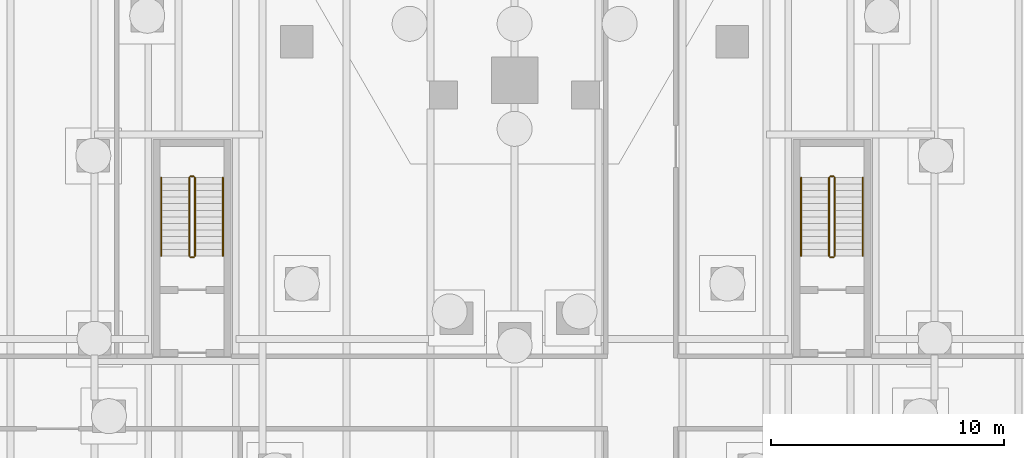
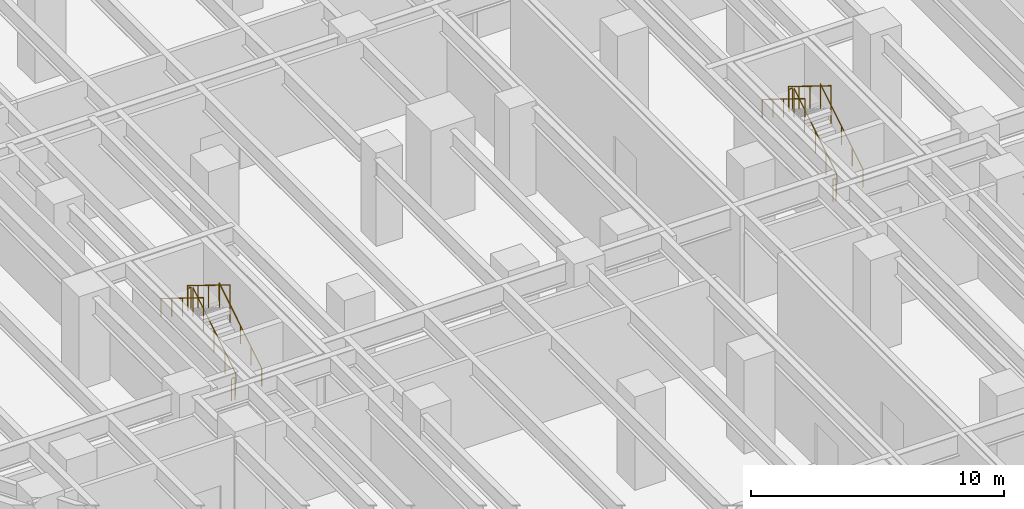
# One storey, part 16 of 18: 12 railings.
"""IFC4 building model written with IfcOpenShell, lengths in metres."""

import ifcopenshell
import ifcopenshell.guid

model = None  # the IFC model being written
_history = None  # IfcOwnerHistory: only IFC2X3 demands one
_inside = {}  # id of a spatial element -> (the spatial element, [elements in it])
_under = {}  # id of a project, library or spatial element -> (it, [spatial elements below it])
_declared = {}  # id of a project -> (the project, [libraries it declares])
_typed = {}  # id of a type object -> (the type object, [elements of that type])
_made_of = {}  # id of a material, layer set ... -> (it, [elements and type objects made of it])


def new_model(schema):
    """Start an empty IFC model of exactly this schema.

    Asked for "IFC4X3", IfcOpenShell would pick the latest addendum, in which some entities
    have other attributes; the version numbers below select the first issue.
    IFC2X3 requires an IfcOwnerHistory on every rooted entity: one is made here for all.
    """
    global model, _history
    if schema == "IFC4X3":
        model = ifcopenshell.file(schema_version=(4, 3, 0, 0))
    else:
        model = ifcopenshell.file(schema=schema)
    _inside.clear()
    _under.clear()
    _declared.clear()
    _typed.clear()
    _made_of.clear()
    _history = None
    if model.schema == "IFC2X3":
        org = make("IfcOrganization", Name="unknown")
        user = make(
            "IfcPersonAndOrganization",
            ThePerson=make("IfcPerson", FamilyName="unknown"),
            TheOrganization=org,
        )
        app = make(
            "IfcApplication",
            ApplicationDeveloper=org,
            Version="unknown",
            ApplicationFullName="unknown",
            ApplicationIdentifier="unknown",
        )
        _history = make(
            "IfcOwnerHistory",
            OwningUser=user,
            OwningApplication=app,
            ChangeAction="ADDED",
            CreationDate=0,
        )
    return model


def make(cls, **values):
    """One entity of the class cls with the attributes given. An attribute that is None is left unset."""
    return model.create_entity(
        cls, **{name: value for name, value in values.items() if value is not None}
    )


def rooted(cls, **values):
    """An entity with a GlobalId (a new one), such as an element, a storey or a relation."""
    return make(cls, GlobalId=ifcopenshell.guid.new(), OwnerHistory=_history, **values)


def si_unit(unit_type, name, prefix=None):
    """IfcSIUnit, for example si_unit("LENGTHUNIT", "METRE", prefix="MILLI")."""
    return make("IfcSIUnit", UnitType=unit_type, Prefix=prefix, Name=name)


def assignment(units):
    """IfcUnitAssignment: the units of a project."""
    return None if units is None else make("IfcUnitAssignment", Units=units)


def point(xyz):
    """IfcCartesianPoint."""
    return None if xyz is None else make("IfcCartesianPoint", Coordinates=xyz)


def direction(xyz):
    """IfcDirection."""
    return None if xyz is None else make("IfcDirection", DirectionRatios=xyz)


def frame(location, z_axis=None, x_axis=None):
    """IfcAxis2Placement3D, a coordinate frame: its origin and axes. An axis left out is left unset."""
    return make(
        "IfcAxis2Placement3D",
        Location=point(location),
        Axis=direction(z_axis),
        RefDirection=direction(x_axis),
    )


def frame_2d(location, x_axis=None):
    """IfcAxis2Placement2D, a coordinate frame in the plane: its origin and x axis."""
    return make(
        "IfcAxis2Placement2D", Location=point(location), RefDirection=direction(x_axis)
    )


def origin():
    """The frame at (0, 0, 0) with its axes left unset."""
    return frame((0.0, 0.0, 0.0))


def origin_2d():
    """The frame at (0, 0) in the plane with its x axis left unset."""
    return frame_2d((0.0, 0.0))


def place(relative_to, where):
    """IfcLocalPlacement: puts the frame where relative to a parent placement (None: the world)."""
    return make(
        "IfcLocalPlacement", PlacementRelTo=relative_to, RelativePlacement=where
    )


def context(
    kind, dimensions, precision=None, world=None, true_north=None, identifier=None
):
    """IfcGeometricRepresentationContext, for example the 3D "Model" context."""
    return make(
        "IfcGeometricRepresentationContext",
        ContextIdentifier=identifier,
        ContextType=kind,
        CoordinateSpaceDimension=dimensions,
        Precision=precision,
        WorldCoordinateSystem=world,
        TrueNorth=true_north,
    )


def subcontext(parent, identifier, kind, view, scale=None):
    """IfcGeometricRepresentationSubContext, for example "Body" below "Model"."""
    return make(
        "IfcGeometricRepresentationSubContext",
        ContextIdentifier=identifier,
        ContextType=kind,
        ParentContext=parent,
        TargetScale=scale,
        TargetView=view,
    )


def project(units=None, contexts=None):
    """IfcProject with its units and contexts."""
    return rooted(
        "IfcProject",
        Name="project",
        RepresentationContexts=contexts,
        UnitsInContext=assignment(units),
    )


def spatial(cls, under=None, at=None, **own):
    """A site, building, storey or space (cls), placed at a placement, below another one or the project."""
    s = rooted(cls, ObjectPlacement=at, **own)
    if under is not None:
        _under.setdefault(under.id(), (under, []))[1].append(s)
    return s


def profile(cls, at=None, kind="AREA", **sizes):
    """A parametric profile (cls). Its sizes go by their IFC names, for example OverallWidth=200.0."""
    return make(cls, ProfileType=kind, Position=at, **sizes)


def circle(**sizes):
    """IfcCircleProfileDef."""
    return profile("IfcCircleProfileDef", **sizes)


def extrude(swept, where, along, depth):
    """IfcExtrudedAreaSolid: the profile swept, set in the frame where, extruded along a direction by depth."""
    return make(
        "IfcExtrudedAreaSolid",
        SweptArea=swept,
        Position=where,
        ExtrudedDirection=direction(along),
        Depth=depth,
    )


def shape(context_of_items, identifier, shape_type, items):
    """IfcShapeRepresentation: the items that make up one representation, for example the "Body"."""
    return make(
        "IfcShapeRepresentation",
        ContextOfItems=context_of_items,
        RepresentationIdentifier=identifier,
        RepresentationType=shape_type,
        Items=items,
    )


def material(Name=None, Category=None):
    """IfcMaterial."""
    return make("IfcMaterial", Name=Name, Category=Category)


def made_of(thing, what):
    """Note that an element or type object is made of a material, layer set ...; save() writes the relation."""
    if what is not None:
        _made_of.setdefault(what.id(), (what, []))[1].append(thing)
    return thing


def type_object(cls, material=None, **own):
    """A type object (cls), such as IfcWallType, which elements share."""
    return made_of(rooted(cls, **own), material)


def element(
    cls,
    number,
    at=None,
    inside=None,
    cuts=None,
    type_object=None,
    material=None,
    context=None,
    identifier="Body",
    shape_type=None,
    held_by="IfcProductDefinitionShape",
    body=None,
    shapes=None,
    **own,
):
    """One element of the class cls, such as IfcWall. Its Tag is "e" and its number.

    at: its placement. inside: the storey or other place that contains it. cuts: it is an
    opening in that element (IfcRelVoidsElement). A single representation is given by context,
    identifier, shape_type and body (its items); several are given by shapes. held_by: the class
    of the entity that holds the representations. save() writes the other relations.
    """
    e = rooted(cls, Tag="e%d" % number, ObjectPlacement=at, **own)
    if body is not None:
        shapes = [shape(context, identifier, shape_type, body)]
    if shapes is not None:
        e.Representation = make(held_by, Representations=shapes)
    if inside is not None:
        _inside.setdefault(inside.id(), (inside, []))[1].append(e)
    if cuts is not None:
        rooted(
            "IfcRelVoidsElement", RelatingBuildingElement=cuts, RelatedOpeningElement=e
        )
    if type_object is not None:
        _typed.setdefault(type_object.id(), (type_object, []))[1].append(e)
    return made_of(e, material)


def aggregate(whole, parts):
    """IfcRelAggregates: a whole, such as a stair, and the parts it consists of."""
    return rooted("IfcRelAggregates", RelatingObject=whole, RelatedObjects=parts)


def save(model, path):
    """Write the relations noted so far, then the file.

    IfcRelAggregates (storeys below a building ...), IfcRelContainedInSpatialStructure (elements
    in a storey), IfcRelDefinesByType, IfcRelAssociatesMaterial and IfcRelDeclares: one each for
    every whole, place, type object, material and project.
    """
    for whole, parts in _under.values():
        aggregate(whole, parts)
    for where, things in _inside.values():
        rooted(
            "IfcRelContainedInSpatialStructure",
            RelatedElements=things,
            RelatingStructure=where,
        )
    for kind, things in _typed.values():
        rooted("IfcRelDefinesByType", RelatedObjects=things, RelatingType=kind)
    for what, things in _made_of.values():
        rooted("IfcRelAssociatesMaterial", RelatedObjects=things, RelatingMaterial=what)
    for by, libraries in _declared.values():
        rooted("IfcRelDeclares", RelatingContext=by, RelatedDefinitions=libraries)
    model.write(path)


model = new_model("IFC4")

# Units and contexts
model_context = context("Model", 3, precision=1e-05, world=origin(), true_north=direction((0.0, 1.0)))
body_context = subcontext(model_context, "Body", "Model", "MODEL_VIEW")
ifc_project = project(units=[si_unit("LENGTHUNIT", "METRE"), si_unit("AREAUNIT", "SQUARE_METRE"), si_unit("VOLUMEUNIT", "CUBIC_METRE"), si_unit("PLANEANGLEUNIT", "RADIAN"), si_unit("MASSUNIT", "GRAM", prefix="KILO")], contexts=[model_context])

# Site, building, storey
site_placement = place(None, origin())
site = spatial("IfcSite", under=ifc_project, at=site_placement, CompositionType="ELEMENT")
building_placement = place(site_placement, origin())
building = spatial("IfcBuilding", under=site, at=building_placement, Name="Aloe Facet Convention Tower", CompositionType="ELEMENT")
storey_placement = place(building_placement, frame((0.0, 0.0, -9.0)))
storey = spatial("IfcBuildingStorey", under=building, at=storey_placement, Name="B2", CompositionType="ELEMENT", Elevation=-9.0)

# Railings
ifc_material_1 = material(Name="Steel S355 balustrade", Category="steel")
railing_type_1 = type_object("IfcRailingType", Name="CR-RL-GUARD", PredefinedType="GUARDRAIL", material=ifc_material_1)
railing_1_placement = place(storey_placement, frame((93.72509765625, 84.550048828125, 0.173095703125)))
element("IfcRailing", 1, at=railing_1_placement, inside=storey, type_object=railing_type_1, Name="B2 ST6 stair guard 1", PredefinedType="GUARDRAIL", context=body_context, shape_type="SweptSolid", body=[
    extrude(circle(Radius=0.02392578125, at=origin_2d()), frame((0.0, 0.0, 1.076171875), z_axis=(0.0, 0.850606129759, 0.525803396734), x_axis=(-1.0, 0.0, 0.0)), (0.0, 0.0, 1.0), 3.949951171875),
    extrude(circle(Radius=0.02099609375, at=origin_2d()), origin(), (0.0, 0.0, 1.0), 1.052001953125),
    extrude(circle(Radius=0.02099609375, at=origin_2d()), frame((0.0, 0.83984375, 0.519287109375)), (0.0, 0.0, 1.0), 1.052001953125),
    extrude(circle(Radius=0.02099609375, at=origin_2d()), frame((0.0, 1.679931640625, 1.03857421875)), (0.0, 0.0, 1.0), 1.052001953125),
    extrude(circle(Radius=0.02099609375, at=origin_2d()), frame((0.0, 2.52001953125, 1.5576171875)), (0.0, 0.0, 1.0), 1.052001953125),
    extrude(circle(Radius=0.02099609375, at=origin_2d()), frame((0.0, 3.35986328125, 2.076904296875)), (0.0, 0.0, 1.0), 1.052001953125),
])
railing_2_placement = place(storey_placement, frame((93.675048828125, 87.9599609375, 2.25)))
element("IfcRailing", 2, at=railing_2_placement, inside=storey, type_object=railing_type_1, Name="B2 ST6 stair guard 2", PredefinedType="GUARDRAIL", context=body_context, shape_type="SweptSolid", body=[
    extrude(circle(Radius=0.02392578125, at=origin_2d()), frame((0.0, 0.0, 1.076171875), z_axis=(-1.0, 0.0, 0.0), x_axis=(0.0, -1.0, 0.0)), (0.0, 0.0, 1.0), 0.150146484375),
    extrude(circle(Radius=0.02099609375, at=origin_2d()), origin(), (0.0, 0.0, 1.0), 1.052001953125),
    extrude(circle(Radius=0.02099609375, at=origin_2d()), frame((-0.150146484375, 0.0, 0.0)), (0.0, 0.0, 1.0), 1.052001953125),
])
railing_3_placement = place(storey_placement, frame((93.47509765625, 87.909912109375, 2.423095703125)))
element("IfcRailing", 3, at=railing_3_placement, inside=storey, type_object=railing_type_1, Name="B2 ST6 stair guard 3", PredefinedType="GUARDRAIL", context=body_context, shape_type="SweptSolid", body=[
    extrude(circle(Radius=0.02392578125, at=origin_2d()), frame((0.0, 0.0, 1.076171875), z_axis=(0.0, -0.850606129759, 0.525803396734), x_axis=(1.0, 0.0, 0.0)), (0.0, 0.0, 1.0), 3.949951171875),
    extrude(circle(Radius=0.02099609375, at=origin_2d()), origin(), (0.0, 0.0, 1.0), 1.052001953125),
    extrude(circle(Radius=0.02099609375, at=origin_2d()), frame((0.0, -0.83984375, 0.519287109375)), (0.0, 0.0, 1.0), 1.052001953125),
    extrude(circle(Radius=0.02099609375, at=origin_2d()), frame((0.0, -1.679931640625, 1.03857421875)), (0.0, 0.0, 1.0), 1.052001953125),
    extrude(circle(Radius=0.02099609375, at=origin_2d()), frame((0.0, -2.52001953125, 1.5576171875)), (0.0, 0.0, 1.0), 1.052001953125),
    extrude(circle(Radius=0.02099609375, at=origin_2d()), frame((0.0, -3.35986328125, 2.076904296875)), (0.0, 0.0, 1.0), 1.052001953125),
])
railing_4_placement = place(storey_placement, frame((93.675048828125, 84.5, 0.0)))
element("IfcRailing", 4, at=railing_4_placement, inside=storey, type_object=railing_type_1, Name="B2 ST6 stair guard 4", PredefinedType="GUARDRAIL", context=body_context, shape_type="SweptSolid", body=[
    extrude(circle(Radius=0.02392578125, at=origin_2d()), frame((0.0, 0.0, 1.076171875), z_axis=(-1.0, 0.0, 0.0), x_axis=(0.0, -1.0, 0.0)), (0.0, 0.0, 1.0), 0.150146484375),
    extrude(circle(Radius=0.02099609375, at=origin_2d()), origin(), (0.0, 0.0, 1.0), 1.052001953125),
    extrude(circle(Radius=0.02099609375, at=origin_2d()), frame((-0.150146484375, 0.0, 0.0)), (0.0, 0.0, 1.0), 1.052001953125),
])
railing_5_placement = place(storey_placement, frame((66.300048828125, 84.550048828125, 0.173095703125)))
element("IfcRailing", 5, at=railing_5_placement, inside=storey, type_object=railing_type_1, Name="B2 ST7 stair guard 1", PredefinedType="GUARDRAIL", context=body_context, shape_type="SweptSolid", body=[
    extrude(circle(Radius=0.02392578125, at=origin_2d()), frame((0.0, 0.0, 1.076171875), z_axis=(0.0, 0.850606129759, 0.525803396734), x_axis=(-1.0, 0.0, 0.0)), (0.0, 0.0, 1.0), 3.949951171875),
    extrude(circle(Radius=0.02099609375, at=origin_2d()), origin(), (0.0, 0.0, 1.0), 1.052001953125),
    extrude(circle(Radius=0.02099609375, at=origin_2d()), frame((0.0, 0.83984375, 0.519287109375)), (0.0, 0.0, 1.0), 1.052001953125),
    extrude(circle(Radius=0.02099609375, at=origin_2d()), frame((0.0, 1.679931640625, 1.03857421875)), (0.0, 0.0, 1.0), 1.052001953125),
    extrude(circle(Radius=0.02099609375, at=origin_2d()), frame((0.0, 2.52001953125, 1.5576171875)), (0.0, 0.0, 1.0), 1.052001953125),
    extrude(circle(Radius=0.02099609375, at=origin_2d()), frame((0.0, 3.35986328125, 2.076904296875)), (0.0, 0.0, 1.0), 1.052001953125),
])
railing_6_placement = place(storey_placement, frame((66.25, 87.9599609375, 2.25)))
element("IfcRailing", 6, at=railing_6_placement, inside=storey, type_object=railing_type_1, Name="B2 ST7 stair guard 2", PredefinedType="GUARDRAIL", context=body_context, shape_type="SweptSolid", body=[
    extrude(circle(Radius=0.02392578125, at=origin_2d()), frame((0.0, 0.0, 1.076171875), z_axis=(-1.0, 0.0, 0.0), x_axis=(0.0, -1.0, 0.0)), (0.0, 0.0, 1.0), 0.14990234375),
    extrude(circle(Radius=0.02099609375, at=origin_2d()), origin(), (0.0, 0.0, 1.0), 1.052001953125),
    extrude(circle(Radius=0.02099609375, at=origin_2d()), frame((-0.14990234375, 0.0, 0.0)), (0.0, 0.0, 1.0), 1.052001953125),
])
railing_7_placement = place(storey_placement, frame((66.050048828125, 87.909912109375, 2.423095703125)))
element("IfcRailing", 7, at=railing_7_placement, inside=storey, type_object=railing_type_1, Name="B2 ST7 stair guard 3", PredefinedType="GUARDRAIL", context=body_context, shape_type="SweptSolid", body=[
    extrude(circle(Radius=0.02392578125, at=origin_2d()), frame((0.0, 0.0, 1.076171875), z_axis=(0.0, -0.850606129759, 0.525803396734), x_axis=(1.0, 0.0, 0.0)), (0.0, 0.0, 1.0), 3.949951171875),
    extrude(circle(Radius=0.02099609375, at=origin_2d()), origin(), (0.0, 0.0, 1.0), 1.052001953125),
    extrude(circle(Radius=0.02099609375, at=origin_2d()), frame((0.0, -0.83984375, 0.519287109375)), (0.0, 0.0, 1.0), 1.052001953125),
    extrude(circle(Radius=0.02099609375, at=origin_2d()), frame((0.0, -1.679931640625, 1.03857421875)), (0.0, 0.0, 1.0), 1.052001953125),
    extrude(circle(Radius=0.02099609375, at=origin_2d()), frame((0.0, -2.52001953125, 1.5576171875)), (0.0, 0.0, 1.0), 1.052001953125),
    extrude(circle(Radius=0.02099609375, at=origin_2d()), frame((0.0, -3.35986328125, 2.076904296875)), (0.0, 0.0, 1.0), 1.052001953125),
])
railing_8_placement = place(storey_placement, frame((66.25, 84.5, 0.0)))
element("IfcRailing", 8, at=railing_8_placement, inside=storey, type_object=railing_type_1, Name="B2 ST7 stair guard 4", PredefinedType="GUARDRAIL", context=body_context, shape_type="SweptSolid", body=[
    extrude(circle(Radius=0.02392578125, at=origin_2d()), frame((0.0, 0.0, 1.076171875), z_axis=(-1.0, 0.0, 0.0), x_axis=(0.0, -1.0, 0.0)), (0.0, 0.0, 1.0), 0.14990234375),
    extrude(circle(Radius=0.02099609375, at=origin_2d()), origin(), (0.0, 0.0, 1.0), 1.052001953125),
    extrude(circle(Radius=0.02099609375, at=origin_2d()), frame((-0.14990234375, 0.0, 0.0)), (0.0, 0.0, 1.0), 1.052001953125),
])
ifc_material_2 = material(Name="Steel S355 handrail", Category="steel")
railing_type_2 = type_object("IfcRailingType", Name="CR-RL-HAND", PredefinedType="HANDRAIL", material=ifc_material_2)
railing_9_placement = place(storey_placement, frame((94.925048828125, 84.550048828125, 0.173095703125)))
element("IfcRailing", 9, at=railing_9_placement, inside=storey, type_object=railing_type_2, Name="B2 ST6 stair handrail 1", PredefinedType="HANDRAIL", context=body_context, shape_type="SweptSolid", body=[
    extrude(circle(Radius=0.02392578125, at=origin_2d()), frame((0.0, 0.0, 0.8759765625), z_axis=(0.0, 0.850606129759, 0.525803396734), x_axis=(-1.0, 0.0, 0.0)), (0.0, 0.0, 1.0), 3.949951171875),
    extrude(circle(Radius=0.02099609375, at=origin_2d()), origin(), (0.0, 0.0, 1.0), 0.851806640625),
    extrude(circle(Radius=0.02099609375, at=origin_2d()), frame((0.0, 0.83984375, 0.519287109375)), (0.0, 0.0, 1.0), 0.851806640625),
    extrude(circle(Radius=0.02099609375, at=origin_2d()), frame((0.0, 1.679931640625, 1.03857421875)), (0.0, 0.0, 1.0), 0.851806640625),
    extrude(circle(Radius=0.02099609375, at=origin_2d()), frame((0.0, 2.52001953125, 1.5576171875)), (0.0, 0.0, 1.0), 0.851806640625),
    extrude(circle(Radius=0.02099609375, at=origin_2d()), frame((0.0, 3.35986328125, 2.076904296875)), (0.0, 0.0, 1.0), 0.851806640625),
])
railing_10_placement = place(storey_placement, frame((92.27490234375, 87.909912109375, 2.423095703125)))
element("IfcRailing", 10, at=railing_10_placement, inside=storey, type_object=railing_type_2, Name="B2 ST6 stair handrail 2", PredefinedType="HANDRAIL", context=body_context, shape_type="SweptSolid", body=[
    extrude(circle(Radius=0.02392578125, at=origin_2d()), frame((0.0, 0.0, 0.8759765625), z_axis=(0.0, -0.850606129759, 0.525803396734), x_axis=(1.0, 0.0, 0.0)), (0.0, 0.0, 1.0), 3.949951171875),
    extrude(circle(Radius=0.02099609375, at=origin_2d()), origin(), (0.0, 0.0, 1.0), 0.851806640625),
    extrude(circle(Radius=0.02099609375, at=origin_2d()), frame((0.0, -0.83984375, 0.519287109375)), (0.0, 0.0, 1.0), 0.851806640625),
    extrude(circle(Radius=0.02099609375, at=origin_2d()), frame((0.0, -1.679931640625, 1.03857421875)), (0.0, 0.0, 1.0), 0.851806640625),
    extrude(circle(Radius=0.02099609375, at=origin_2d()), frame((0.0, -2.52001953125, 1.5576171875)), (0.0, 0.0, 1.0), 0.851806640625),
    extrude(circle(Radius=0.02099609375, at=origin_2d()), frame((0.0, -3.35986328125, 2.076904296875)), (0.0, 0.0, 1.0), 0.851806640625),
])
railing_11_placement = place(storey_placement, frame((67.5, 84.550048828125, 0.173095703125)))
element("IfcRailing", 11, at=railing_11_placement, inside=storey, type_object=railing_type_2, Name="B2 ST7 stair handrail 1", PredefinedType="HANDRAIL", context=body_context, shape_type="SweptSolid", body=[
    extrude(circle(Radius=0.02392578125, at=origin_2d()), frame((0.0, 0.0, 0.8759765625), z_axis=(0.0, 0.850606129759, 0.525803396734), x_axis=(-1.0, 0.0, 0.0)), (0.0, 0.0, 1.0), 3.949951171875),
    extrude(circle(Radius=0.02099609375, at=origin_2d()), origin(), (0.0, 0.0, 1.0), 0.851806640625),
    extrude(circle(Radius=0.02099609375, at=origin_2d()), frame((0.0, 0.83984375, 0.519287109375)), (0.0, 0.0, 1.0), 0.851806640625),
    extrude(circle(Radius=0.02099609375, at=origin_2d()), frame((0.0, 1.679931640625, 1.03857421875)), (0.0, 0.0, 1.0), 0.851806640625),
    extrude(circle(Radius=0.02099609375, at=origin_2d()), frame((0.0, 2.52001953125, 1.5576171875)), (0.0, 0.0, 1.0), 0.851806640625),
    extrude(circle(Radius=0.02099609375, at=origin_2d()), frame((0.0, 3.35986328125, 2.076904296875)), (0.0, 0.0, 1.0), 0.851806640625),
])
railing_12_placement = place(storey_placement, frame((64.85009765625, 87.909912109375, 2.423095703125)))
element("IfcRailing", 12, at=railing_12_placement, inside=storey, type_object=railing_type_2, Name="B2 ST7 stair handrail 2", PredefinedType="HANDRAIL", context=body_context, shape_type="SweptSolid", body=[
    extrude(circle(Radius=0.02392578125, at=origin_2d()), frame((0.0, 0.0, 0.8759765625), z_axis=(0.0, -0.850606129759, 0.525803396734), x_axis=(1.0, 0.0, 0.0)), (0.0, 0.0, 1.0), 3.949951171875),
    extrude(circle(Radius=0.02099609375, at=origin_2d()), origin(), (0.0, 0.0, 1.0), 0.851806640625),
    extrude(circle(Radius=0.02099609375, at=origin_2d()), frame((0.0, -0.83984375, 0.519287109375)), (0.0, 0.0, 1.0), 0.851806640625),
    extrude(circle(Radius=0.02099609375, at=origin_2d()), frame((0.0, -1.679931640625, 1.03857421875)), (0.0, 0.0, 1.0), 0.851806640625),
    extrude(circle(Radius=0.02099609375, at=origin_2d()), frame((0.0, -2.52001953125, 1.5576171875)), (0.0, 0.0, 1.0), 0.851806640625),
    extrude(circle(Radius=0.02099609375, at=origin_2d()), frame((0.0, -3.35986328125, 2.076904296875)), (0.0, 0.0, 1.0), 0.851806640625),
])

save(model, "model.ifc")
